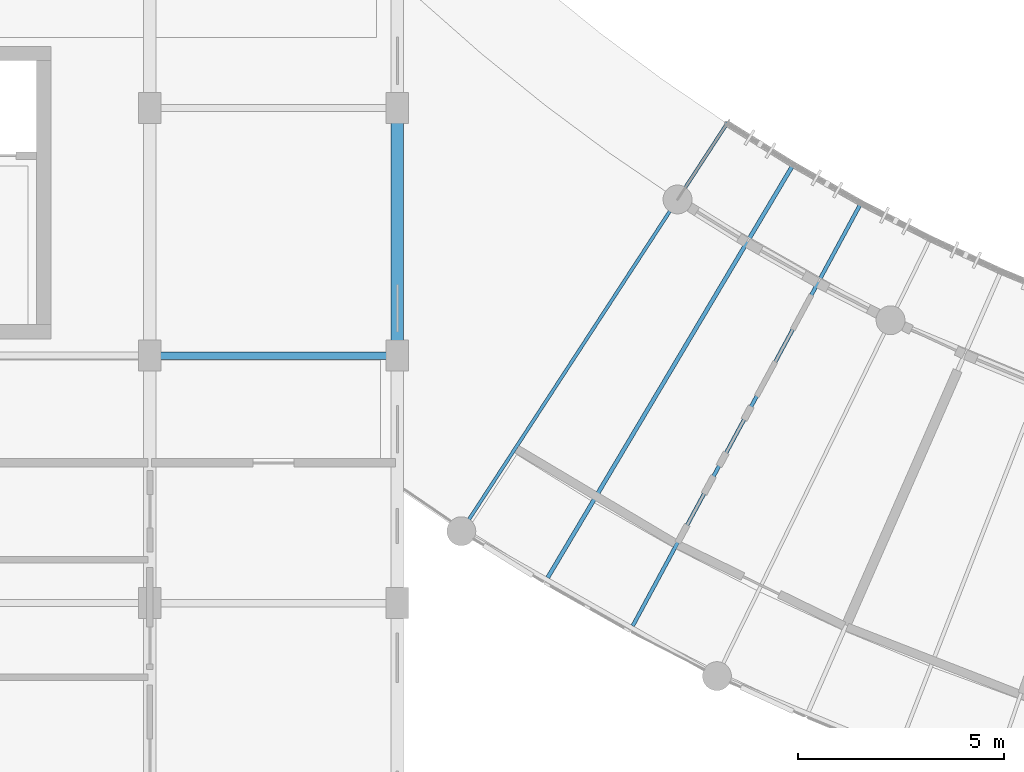
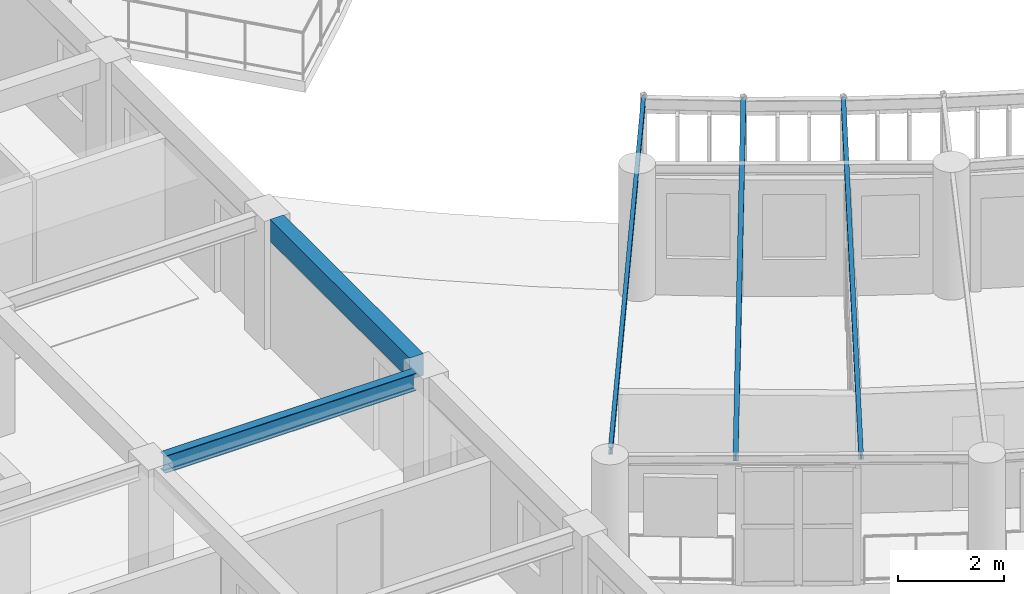
# One storey, part 5 of 100: 5 beams.
"""IFC4 building model written with IfcOpenShell, lengths in metres."""

from ifc_helpers import new_model, si_unit, direction, frame, origin, origin_2d, place, context, subcontext, project, spatial, rectangle, i_section, extrude, material, material_profile, profile_set, type_object, element, save


model = new_model("IFC4")

# Units and contexts
model_context = context("Model", 3, precision=1e-05, world=origin(), true_north=direction((0.0, 1.0)))
body_context = subcontext(model_context, "Body", "Model", "MODEL_VIEW")
ifc_project = project(units=[si_unit("LENGTHUNIT", "METRE"), si_unit("AREAUNIT", "SQUARE_METRE"), si_unit("VOLUMEUNIT", "CUBIC_METRE"), si_unit("PLANEANGLEUNIT", "RADIAN"), si_unit("MASSUNIT", "GRAM", prefix="KILO"), si_unit("POWERUNIT", "WATT"), si_unit("THERMODYNAMICTEMPERATUREUNIT", "KELVIN")], contexts=[model_context])

# Site, building, storey
site_placement = place(None, origin())
site = spatial("IfcSite", under=ifc_project, at=site_placement, CompositionType="ELEMENT")
building_placement = place(site_placement, origin())
building = spatial("IfcBuilding", under=site, at=building_placement, Name="Ruvembo Vaulted Housing Court", CompositionType="ELEMENT")
storey_placement = place(building_placement, frame((0.0, 0.0, 10.89990234375)))
storey = spatial("IfcBuildingStorey", under=building, at=storey_placement, Name="L03", CompositionType="ELEMENT", Elevation=10.89990234375)

# Beams
ifc_material_1 = material(Name="Steel S355J2", Category="steel")
ifc_material_profile_1 = material_profile(ifc_material_1, i_section(OverallWidth=0.08203125, OverallDepth=0.159912109375, WebThickness=0.0048828125, FlangeThickness=0.00732421875, FilletRadius=0.009033203125, at=origin_2d()), Name="IPE 160")
ifc_profile_set_1 = profile_set([ifc_material_profile_1], Name="Steel S355J2")
beam_type_1 = type_object("IfcBeamType", Name="BM-ST-IPE160", PredefinedType="JOIST", material=ifc_profile_set_1)
beam_1_placement = place(storey_placement, frame((37.677734375, 13.93505859375, 2.860107421875), z_axis=(0.545959206746, 0.837811759627, 0.0), x_axis=(-0.837811759627, 0.545959206746, 0.0)))
element("IfcBeam", 1, at=beam_1_placement, inside=storey, type_object=beam_type_1, Name="Scoop SC2 L03 Radial Steel Joist 0", PredefinedType="JOIST", context=body_context, shape_type="SweptSolid", body=[
    extrude(i_section(OverallWidth=0.08203125, OverallDepth=0.159912109375, WebThickness=0.0048828125, FlangeThickness=0.00732421875, FilletRadius=0.009033203125, at=origin_2d()), origin(), (0.0, 0.0, 1.0), 11.610107421875),
])
ifc_material_profile_2 = material_profile(ifc_material_1, i_section(OverallWidth=0.091064453125, OverallDepth=0.179931640625, WebThickness=0.00537109375, FlangeThickness=0.008056640625, FilletRadius=0.009033203125, at=origin_2d()), Name="IPE 180")
ifc_profile_set_2 = profile_set([ifc_material_profile_2], Name="Steel S355J2")
beam_type_2 = type_object("IfcBeamType", Name="BM-ST-IPE180", PredefinedType="JOIST", material=ifc_profile_set_2)
beam_2_placement = place(storey_placement, frame((41.70654296875, 11.445068359375, 2.85009765625), z_axis=(0.475065815037, 0.879950266426, 0.0), x_axis=(-0.879950266426, 0.475065815037, 0.0)))
element("IfcBeam", 2, at=beam_2_placement, inside=storey, type_object=beam_type_2, Name="Scoop SC2 L03 Radial Steel Joist 2", PredefinedType="JOIST", context=body_context, shape_type="SweptSolid", body=[
    extrude(i_section(OverallWidth=0.091064453125, OverallDepth=0.179931640625, WebThickness=0.00537109375, FlangeThickness=0.008056640625, FilletRadius=0.009033203125, at=origin_2d()), origin(), (0.0, 0.0, 1.0), 11.69189453125),
])
ifc_material_profile_3 = material_profile(ifc_material_1, i_section(OverallWidth=0.10009765625, OverallDepth=0.199951171875, WebThickness=0.005615234375, FlangeThickness=0.008544921875, FilletRadius=0.011962890625, at=origin_2d()), Name="IPE 200")
ifc_profile_set_3 = profile_set([ifc_material_profile_3], Name="Steel S355J2")
beam_type_3 = type_object("IfcBeamType", Name="BM-ST-IPE200", PredefinedType="BEAM", material=ifc_profile_set_3)
beam_3_placement = place(storey_placement, frame((39.644775390625, 12.61376953125, 2.840087890625), z_axis=(0.51095697622, 0.859606286885, 0.0), x_axis=(-0.859606286885, 0.51095697622, 0.0)))
element("IfcBeam", 3, at=beam_3_placement, inside=storey, type_object=beam_type_3, Name="Scoop SC2 L03 Radial Steel Joist 1", PredefinedType="BEAM", context=body_context, shape_type="SweptSolid", body=[
    extrude(i_section(OverallWidth=0.10009765625, OverallDepth=0.199951171875, WebThickness=0.005615234375, FlangeThickness=0.008544921875, FilletRadius=0.011962890625, at=origin_2d()), origin(), (0.0, 0.0, 1.0), 11.692138671875),
])
ifc_material_profile_4 = material_profile(ifc_material_1, i_section(OverallWidth=0.179931640625, OverallDepth=0.39990234375, WebThickness=0.008544921875, FlangeThickness=0.013427734375, FilletRadius=0.02099609375, at=origin_2d()), Name="IPE 400")
ifc_profile_set_4 = profile_set([ifc_material_profile_4], Name="Steel S355J2")
beam_type_4 = type_object("IfcBeamType", Name="BM-ST-IPE400", PredefinedType="BEAM", material=ifc_profile_set_4)
beam_4_placement = place(storey_placement, frame((30.260009765625, 18.0, 2.72607421875), z_axis=(1.0, 0.0, 0.0), x_axis=(0.0, 1.0, 0.0)))
element("IfcBeam", 4, at=beam_4_placement, inside=storey, type_object=beam_type_4, Name="L03 Grid Beam X #1744", PredefinedType="BEAM", context=body_context, shape_type="SweptSolid", body=[
    extrude(i_section(OverallWidth=0.179931640625, OverallDepth=0.39990234375, WebThickness=0.008544921875, FlangeThickness=0.013427734375, FilletRadius=0.02099609375, at=origin_2d()), origin(), (0.0, 0.0, 1.0), 5.47998046875),
])
ifc_material_2 = material(Name="Concrete C35/45", Category="concrete")
ifc_material_profile_5 = material_profile(ifc_material_2, rectangle(XDim=0.300048828125, YDim=0.5, at=origin_2d()), Name="RC 300x500")
ifc_profile_set_5 = profile_set([ifc_material_profile_5], Name="Concrete C35/45")
beam_type_5 = type_object("IfcBeamType", Name="SP-RC-300x500", PredefinedType="SPANDREL", material=ifc_profile_set_5)
beam_5_placement = place(storey_placement, frame((36.0, 18.360107421875, 2.710205078125), z_axis=(0.0, 1.0, 0.0), x_axis=(-1.0, 0.0, 0.0)))
element("IfcBeam", 5, at=beam_5_placement, inside=storey, type_object=beam_type_5, Name="L03 Grid Beam Y #1888", PredefinedType="SPANDREL", context=body_context, shape_type="SweptSolid", body=[
    extrude(rectangle(XDim=0.300048828125, YDim=0.5, at=origin_2d()), origin(), (0.0, 0.0, 1.0), 5.27978515625),
])

save(model, "model.ifc")
